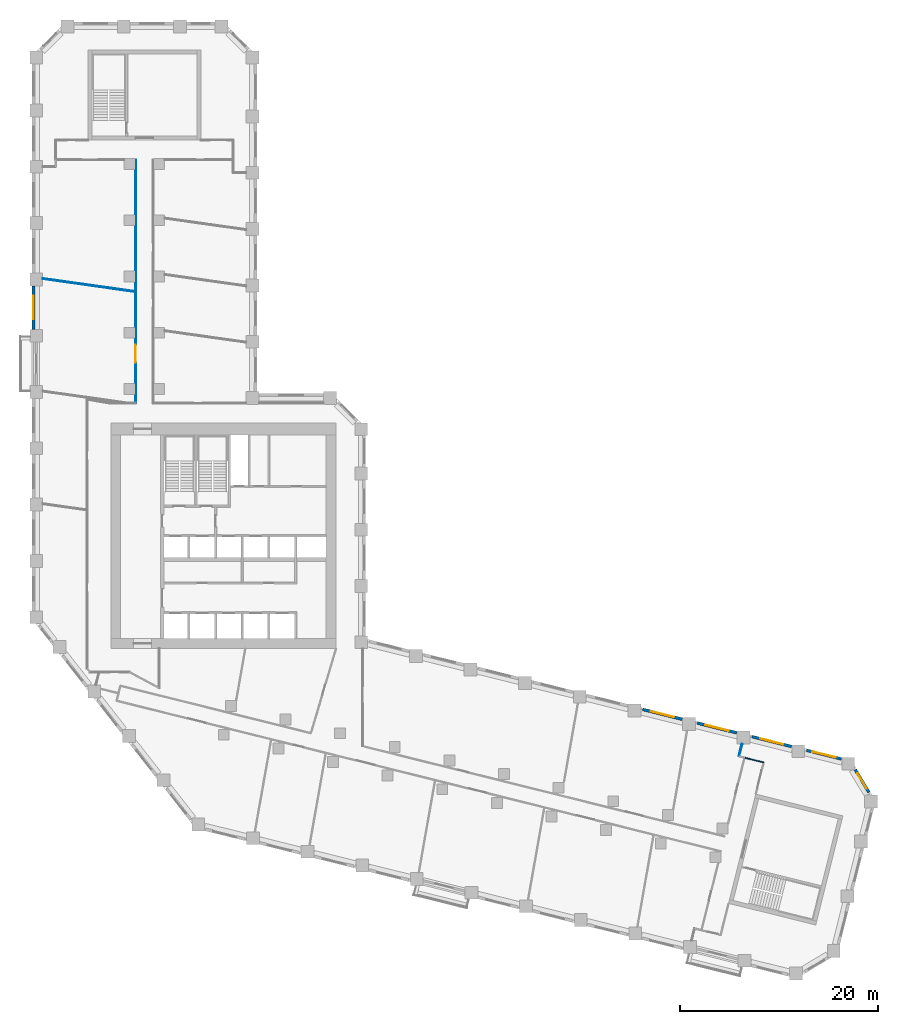
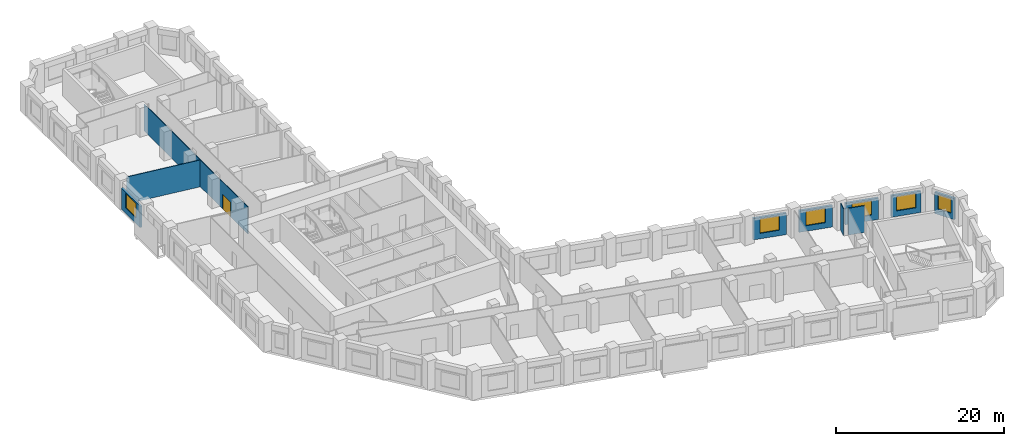
# One storey, part 7 of 10: 10 walls, 6 windows, 1 door, 7 openings.
"""IFC4 building model written with IfcOpenShell, lengths in metres."""

from ifc_helpers import new_model, si_unit, direction, frame, frame_2d, origin, place, context, subcontext, project, spatial, rectangle, extrude, material, layer, layer_set, type_object, element, fill, save


model = new_model("IFC4")

# Units and contexts
model_context = context("Model", 3, precision=1e-05, world=origin(), true_north=direction((0.0, 1.0)))
body_context = subcontext(model_context, "Body", "Model", "MODEL_VIEW")
ifc_project = project(units=[si_unit("LENGTHUNIT", "METRE"), si_unit("AREAUNIT", "SQUARE_METRE"), si_unit("VOLUMEUNIT", "CUBIC_METRE"), si_unit("PLANEANGLEUNIT", "RADIAN"), si_unit("MASSUNIT", "GRAM", prefix="KILO")], contexts=[model_context])

# Site, building, storey
site_placement = place(None, origin())
site = spatial("IfcSite", under=ifc_project, at=site_placement, CompositionType="ELEMENT")
building_placement = place(site_placement, origin())
building = spatial("IfcBuilding", under=site, at=building_placement, Name="Meshkara Civic Tower", CompositionType="ELEMENT")
storey_placement = place(building_placement, frame((0.0, 0.0, 109.800048828125)))
storey = spatial("IfcBuildingStorey", under=building, at=storey_placement, Name="L24", CompositionType="ELEMENT", Elevation=109.800048828125)

# Wall, opening, door
ifc_material_1 = material(Name="Corridor wall 100")
ifc_layer_1 = layer(ifc_material_1, 0.10009765625)
ifc_layer_set_1 = layer_set([ifc_layer_1], Name="Corridor wall 100")
wall_type_1 = type_object("IfcWallType", Name="Corridor wall 100", PredefinedType="PARTITIONING", material=ifc_layer_set_1)
wall_1_placement = place(storey_placement, frame((10.5, 63.570068359375, 0.0), z_axis=(0.0, 0.0, 1.0), x_axis=(0.0, -1.0, 0.0)))
wall_1 = element("IfcWall", 1, at=wall_1_placement, inside=storey, type_object=wall_type_1, Name="L24-W013", PredefinedType="PARTITIONING", context=body_context, shape_type="SweptSolid", body=[
    extrude(rectangle(XDim=24.670166015625, YDim=0.10009765625, at=frame_2d((12.3349609375, 0.0))), origin(), (0.0, 0.0, 1.0), 3.89990234375),
])
opening_1_placement = place(wall_1_placement, frame((18.738037109375, 0.0, 0.0)))
opening_1 = element("IfcOpeningElement", 2, at=opening_1_placement, cuts=wall_1, Name="Opening L24-D018", PredefinedType="OPENING", context=body_context, shape_type="SweptSolid", body=[
    extrude(rectangle(XDim=1.800048828125, YDim=2.10009765625, at=frame_2d((0.89990234375, 1.050048828125))), frame((0.0, 0.06005859375, 0.0), z_axis=(0.0, -1.0, 0.0), x_axis=(1.0, 0.0, 0.0)), (0.0, 0.0, 1.0), 0.1201171875),
])
ifc_material_2 = material(Name="Door pair 1800 x 2100")
door_type = type_object("IfcDoorType", Name="Door pair 1800 x 2100", OperationType="SINGLE_SWING_LEFT", PredefinedType="DOOR", material=ifc_material_2)
door_placement = place(opening_1_placement, origin())
door = element("IfcDoor", 3, at=door_placement, inside=storey, type_object=door_type, Name="L24-D018", OperationType="DOUBLE_DOOR_SINGLE_SWING", OverallHeight=2.10009765625, OverallWidth=1.800048828125, PredefinedType="DOOR", context=body_context, shape_type="SweptSolid", body=[
    extrude(rectangle(XDim=1.800048828125, YDim=2.10009765625, at=frame_2d((0.89990234375, 1.050048828125))), frame((0.0, 0.02490234375, 0.0), z_axis=(0.0, -1.0, 0.0), x_axis=(1.0, 0.0, 0.0)), (0.0, 0.0, 1.0), 0.050048828125),
])
fill(opening_1, door)

# Wall
wall_2_placement = place(storey_placement, frame((74.087890625, 2.552001953125, 0.0), z_axis=(0.0, 0.0, 1.0), x_axis=(-0.970271653322, 0.242018426489, 0.0)))
element("IfcWall", 4, at=wall_2_placement, inside=storey, type_object=wall_type_1, Name="L24-W029", PredefinedType="PARTITIONING", context=body_context, shape_type="SweptSolid", body=[
    extrude(rectangle(XDim=1.999267578125, YDim=0.10009765625, at=frame_2d((0.99951171875, 0.0))), origin(), (0.0, 0.0, 1.0), 3.89990234375),
])

# Wall, opening, window
ifc_material_3 = material(Name="Insulated infill panel with bronze anodised aluminium cladding", Category="aluminium")
ifc_layer_2 = layer(ifc_material_3, 0.300048828125)
ifc_layer_set_2 = layer_set([ifc_layer_2], Name="EXTERNAL INFILL WALL 300")
wall_type_2 = type_object("IfcWallType", Name="EXTERNAL INFILL WALL 300", PredefinedType="SOLIDWALL", material=ifc_layer_set_2)
wall_3_placement = place(storey_placement, frame((81.962890625, 2.906982421875, 0.0), z_axis=(0.0, 0.0, 1.0), x_axis=(-0.970248953144, 0.24210941519, 0.0)))
wall_3 = element("IfcWall", 5, at=wall_3_placement, inside=storey, type_object=wall_type_2, Name="External wall", PredefinedType="SOLIDWALL", context=body_context, shape_type="SweptSolid", body=[
    extrude(rectangle(XDim=3.63916015625, YDim=0.300048828125, at=frame_2d((1.819580078125, 0.0))), origin(), (0.0, 0.0, 1.0), 3.099853515625),
])
opening_2_placement = place(wall_3_placement, frame((0.6201171875, 0.0, 0.800048828125)))
opening_2 = element("IfcOpeningElement", 6, at=opening_2_placement, cuts=wall_3, Name="Opening W7", PredefinedType="OPENING", context=body_context, shape_type="SweptSolid", body=[
    extrude(rectangle(XDim=2.39990234375, YDim=2.10009765625, at=frame_2d((1.199951171875, 1.050048828125))), frame((0.0, 0.159912109375, 0.0), z_axis=(0.0, -1.0, 0.0), x_axis=(1.0, 0.0, 0.0)), (0.0, 0.0, 1.0), 0.320068359375),
])
ifc_material_4 = material(Name="Tinted double glazing", Category="glass")
window_type_1 = type_object("IfcWindowType", Name="WINDOW 2400x2100", PartitioningType="DOUBLE_PANEL_VERTICAL", PredefinedType="WINDOW", material=ifc_material_4)
window_1_placement = place(opening_2_placement, origin())
window_1 = element("IfcWindow", 7, at=window_1_placement, inside=storey, type_object=window_type_1, Name="Window", OverallHeight=2.10009765625, OverallWidth=2.39990234375, PartitioningType="DOUBLE_PANEL_VERTICAL", PredefinedType="WINDOW", context=body_context, shape_type="SweptSolid", body=[
    extrude(rectangle(XDim=2.39990234375, YDim=2.10009765625, at=frame_2d((1.199951171875, 1.050048828125))), frame((0.0, 0.030029296875, 0.0), z_axis=(0.0, -1.0, 0.0), x_axis=(1.0, 0.0, 0.0)), (0.0, 0.0, 1.0), 0.06005859375),
])
fill(opening_2, window_1)

wall_4_placement = place(storey_placement, frame((76.903076171875, 4.1689453125, 0.0), z_axis=(0.0, 0.0, 1.0), x_axis=(-0.970267747908, 0.242034083076, 0.0)))
wall_4 = element("IfcWall", 8, at=wall_4_placement, inside=storey, type_object=wall_type_2, Name="External wall", PredefinedType="SOLIDWALL", context=body_context, shape_type="SweptSolid", body=[
    extrude(rectangle(XDim=4.12353515625, YDim=0.300048828125, at=frame_2d((2.061767578125, 0.0))), origin(), (0.0, 0.0, 1.0), 3.099853515625),
])
opening_3_placement = place(wall_4_placement, frame((0.862060546875, 0.0, 0.800048828125)))
opening_3 = element("IfcOpeningElement", 9, at=opening_3_placement, cuts=wall_4, Name="Opening W7", PredefinedType="OPENING", context=body_context, shape_type="SweptSolid", body=[
    extrude(rectangle(XDim=2.39990234375, YDim=2.10009765625, at=frame_2d((1.199951171875, 1.050048828125))), frame((0.0, 0.159912109375, 0.0), z_axis=(0.0, -1.0, 0.0), x_axis=(1.0, 0.0, 0.0)), (0.0, 0.0, 1.0), 0.320068359375),
])
window_2_placement = place(opening_3_placement, origin())
window_2 = element("IfcWindow", 10, at=window_2_placement, inside=storey, type_object=window_type_1, Name="Window", OverallHeight=2.10009765625, OverallWidth=2.39990234375, PartitioningType="DOUBLE_PANEL_VERTICAL", PredefinedType="WINDOW", context=body_context, shape_type="SweptSolid", body=[
    extrude(rectangle(XDim=2.39990234375, YDim=2.10009765625, at=frame_2d((1.199951171875, 1.050048828125))), frame((0.0, 0.030029296875, 0.0), z_axis=(0.0, -1.0, 0.0), x_axis=(1.0, 0.0, 0.0)), (0.0, 0.0, 1.0), 0.06005859375),
])
fill(opening_3, window_2)

wall_5_placement = place(storey_placement, frame((71.373046875, 5.548095703125, 0.0), z_axis=(0.0, 0.0, 1.0), x_axis=(-0.97029551261, 0.241922752565, 0.0)))
wall_5 = element("IfcWall", 11, at=wall_5_placement, inside=storey, type_object=wall_type_2, Name="External wall", PredefinedType="SOLIDWALL", context=body_context, shape_type="SweptSolid", body=[
    extrude(rectangle(XDim=4.12451171875, YDim=0.300048828125, at=frame_2d((2.062255859375, 0.0))), origin(), (0.0, 0.0, 1.0), 3.099853515625),
])
opening_4_placement = place(wall_5_placement, frame((0.862060546875, 0.0, 0.800048828125)))
opening_4 = element("IfcOpeningElement", 12, at=opening_4_placement, cuts=wall_5, Name="Opening W7", PredefinedType="OPENING", context=body_context, shape_type="SweptSolid", body=[
    extrude(rectangle(XDim=2.39990234375, YDim=2.10009765625, at=frame_2d((1.199951171875, 1.050048828125))), frame((0.0, 0.159912109375, 0.0), z_axis=(0.0, -1.0, 0.0), x_axis=(1.0, 0.0, 0.0)), (0.0, 0.0, 1.0), 0.320068359375),
])
window_3_placement = place(opening_4_placement, origin())
window_3 = element("IfcWindow", 13, at=window_3_placement, inside=storey, type_object=window_type_1, Name="Window", OverallHeight=2.10009765625, OverallWidth=2.39990234375, PartitioningType="DOUBLE_PANEL_VERTICAL", PredefinedType="WINDOW", context=body_context, shape_type="SweptSolid", body=[
    extrude(rectangle(XDim=2.39990234375, YDim=2.10009765625, at=frame_2d((1.199951171875, 1.050048828125))), frame((0.0, 0.030029296875, 0.0), z_axis=(0.0, -1.0, 0.0), x_axis=(1.0, 0.0, 0.0)), (0.0, 0.0, 1.0), 0.06005859375),
])
fill(opening_4, window_3)

wall_6_placement = place(storey_placement, frame((65.842041015625, 6.927001953125, 0.0), z_axis=(0.0, 0.0, 1.0), x_axis=(-0.970281616392, 0.241978480223, 0.0)))
wall_6 = element("IfcWall", 14, at=wall_6_placement, inside=storey, type_object=wall_type_2, Name="External wall", PredefinedType="SOLIDWALL", context=body_context, shape_type="SweptSolid", body=[
    extrude(rectangle(XDim=4.12451171875, YDim=0.300048828125, at=frame_2d((2.062255859375, 0.0))), origin(), (0.0, 0.0, 1.0), 3.099853515625),
])
opening_5_placement = place(wall_6_placement, frame((0.862060546875, 0.0, 0.800048828125)))
opening_5 = element("IfcOpeningElement", 15, at=opening_5_placement, cuts=wall_6, Name="Opening W7", PredefinedType="OPENING", context=body_context, shape_type="SweptSolid", body=[
    extrude(rectangle(XDim=2.39990234375, YDim=2.10009765625, at=frame_2d((1.199951171875, 1.050048828125))), frame((0.0, 0.159912109375, 0.0), z_axis=(0.0, -1.0, 0.0), x_axis=(1.0, 0.0, 0.0)), (0.0, 0.0, 1.0), 0.320068359375),
])
window_4_placement = place(opening_5_placement, origin())
window_4 = element("IfcWindow", 16, at=window_4_placement, inside=storey, type_object=window_type_1, Name="Window", OverallHeight=2.10009765625, OverallWidth=2.39990234375, PartitioningType="DOUBLE_PANEL_VERTICAL", PredefinedType="WINDOW", context=body_context, shape_type="SweptSolid", body=[
    extrude(rectangle(XDim=2.39990234375, YDim=2.10009765625, at=frame_2d((1.199951171875, 1.050048828125))), frame((0.0, 0.030029296875, 0.0), z_axis=(0.0, -1.0, 0.0), x_axis=(1.0, 0.0, 0.0)), (0.0, 0.0, 1.0), 0.06005859375),
])
fill(opening_5, window_4)

wall_7_placement = place(storey_placement, frame((0.14990234375, 50.804931640625, 0.0), z_axis=(0.0, 0.0, 1.0), x_axis=(0.0, -1.0, 0.0)))
wall_7 = element("IfcWall", 17, at=wall_7_placement, inside=storey, type_object=wall_type_2, Name="External wall", PredefinedType="SOLIDWALL", context=body_context, shape_type="SweptSolid", body=[
    extrude(rectangle(XDim=4.39990234375, YDim=0.300048828125, at=frame_2d((2.199951171875, 0.0))), origin(), (0.0, 0.0, 1.0), 3.099853515625),
])
opening_6_placement = place(wall_7_placement, frame((1.0, 0.0, 0.800048828125)))
opening_6 = element("IfcOpeningElement", 18, at=opening_6_placement, cuts=wall_7, Name="Opening W7", PredefinedType="OPENING", context=body_context, shape_type="SweptSolid", body=[
    extrude(rectangle(XDim=2.39990234375, YDim=2.10009765625, at=frame_2d((1.199951171875, 1.050048828125))), frame((0.0, 0.159912109375, 0.0), z_axis=(0.0, -1.0, 0.0), x_axis=(1.0, 0.0, 0.0)), (0.0, 0.0, 1.0), 0.320068359375),
])
window_5_placement = place(opening_6_placement, origin())
window_5 = element("IfcWindow", 19, at=window_5_placement, inside=storey, type_object=window_type_1, Name="Window", OverallHeight=2.10009765625, OverallWidth=2.39990234375, PartitioningType="DOUBLE_PANEL_VERTICAL", PredefinedType="WINDOW", context=body_context, shape_type="SweptSolid", body=[
    extrude(rectangle(XDim=2.39990234375, YDim=2.10009765625, at=frame_2d((1.199951171875, 1.050048828125))), frame((0.0, 0.030029296875, 0.0), z_axis=(0.0, -1.0, 0.0), x_axis=(1.0, 0.0, 0.0)), (0.0, 0.0, 1.0), 0.06005859375),
])
fill(opening_6, window_5)

wall_8_placement = place(storey_placement, frame((84.751953125, -0.48095703125, 0.0), z_axis=(0.0, 0.0, 1.0), x_axis=(-0.515138971391, 0.857106667898, 0.0)))
wall_8 = element("IfcWall", 20, at=wall_8_placement, inside=storey, type_object=wall_type_2, Name="External wall", PredefinedType="SOLIDWALL", context=body_context, shape_type="SweptSolid", body=[
    extrude(rectangle(XDim=2.6787109375, YDim=0.300048828125, at=frame_2d((1.33935546875, 0.0))), origin(), (0.0, 0.0, 1.0), 3.099853515625),
])
opening_7_placement = place(wall_8_placement, frame((0.43896484375, 0.0, 0.800048828125)))
opening_7 = element("IfcOpeningElement", 21, at=opening_7_placement, cuts=wall_8, Name="Opening W9", PredefinedType="OPENING", context=body_context, shape_type="SweptSolid", body=[
    extrude(rectangle(XDim=1.800048828125, YDim=2.10009765625, at=frame_2d((0.89990234375, 1.050048828125))), frame((0.0, 0.159912109375, 0.0), z_axis=(0.0, -1.0, 0.0), x_axis=(1.0, 0.0, 0.0)), (0.0, 0.0, 1.0), 0.320068359375),
])
ifc_material_5 = material(Name="Tinted double glazing", Category="glass")
window_type_2 = type_object("IfcWindowType", Name="WINDOW 1800x2100", PartitioningType="DOUBLE_PANEL_VERTICAL", PredefinedType="WINDOW", material=ifc_material_5)
window_6_placement = place(opening_7_placement, origin())
window_6 = element("IfcWindow", 22, at=window_6_placement, inside=storey, type_object=window_type_2, Name="Window", OverallHeight=2.10009765625, OverallWidth=1.800048828125, PartitioningType="DOUBLE_PANEL_VERTICAL", PredefinedType="WINDOW", context=body_context, shape_type="SweptSolid", body=[
    extrude(rectangle(XDim=1.800048828125, YDim=2.10009765625, at=frame_2d((0.89990234375, 1.050048828125))), frame((0.0, 0.030029296875, 0.0), z_axis=(0.0, -1.0, 0.0), x_axis=(1.0, 0.0, 0.0)), (0.0, 0.0, 1.0), 0.06005859375),
])
fill(opening_7, window_6)

# Walls
ifc_material_6 = material(Name="Partition 100")
ifc_layer_3 = layer(ifc_material_6, 0.10009765625)
ifc_layer_set_3 = layer_set([ifc_layer_3], Name="Partition 100")
wall_type_3 = type_object("IfcWallType", Name="Partition 100", PredefinedType="PARTITIONING", material=ifc_layer_set_3)
wall_9_placement = place(storey_placement, frame((10.443115234375, 50.2119140625, 0.0), z_axis=(0.0, 0.0, 1.0), x_axis=(-0.990255073415, 0.139265536207, 0.0)))
element("IfcWall", 23, at=wall_9_placement, inside=storey, type_object=wall_type_3, Name="L24-W036", PredefinedType="PARTITIONING", context=body_context, shape_type="SweptSolid", body=[
    extrude(rectangle(XDim=9.43505859375, YDim=0.10009765625, at=frame_2d((4.717529296875, 0.0))), origin(), (0.0, 0.0, 1.0), 3.89990234375),
])
wall_10_placement = place(storey_placement, frame((71.593017578125, 3.174072265625, 0.0), z_axis=(0.0, 0.0, 1.0), x_axis=(0.242221476086, 0.970220983345, 0.0)))
element("IfcWall", 24, at=wall_10_placement, inside=storey, type_object=wall_type_3, Name="L24-W052", PredefinedType="PARTITIONING", context=body_context, shape_type="SweptSolid", body=[
    extrude(rectangle(XDim=1.280029296875, YDim=0.10009765625, at=frame_2d((0.64013671875, 0.0))), origin(), (0.0, 0.0, 1.0), 3.89990234375),
])

save(model, "model.ifc")
